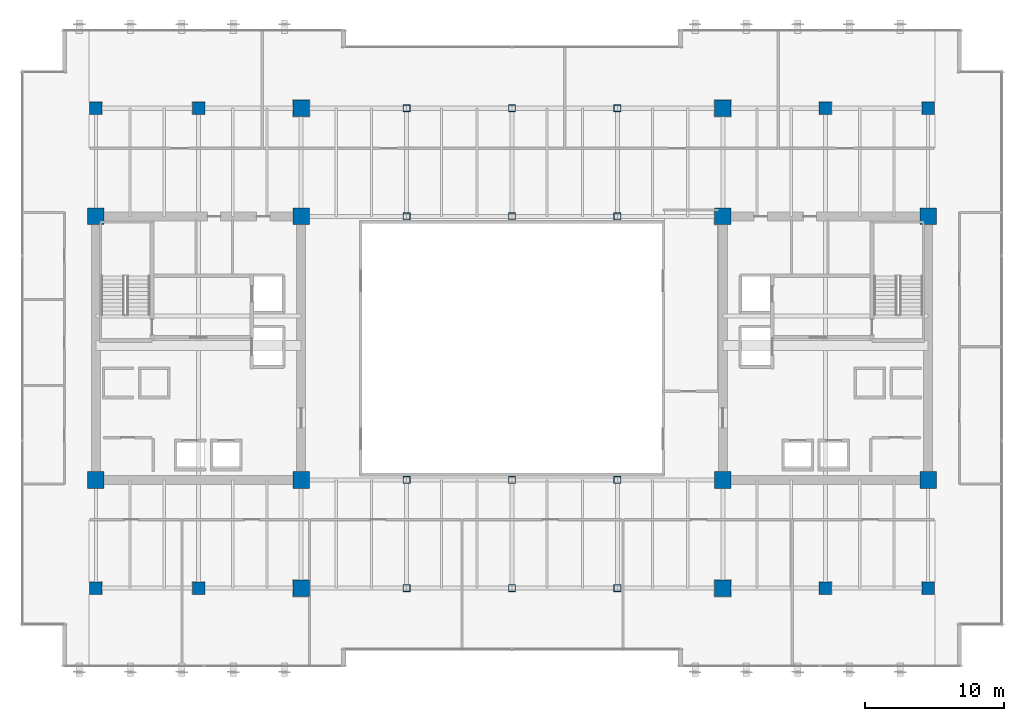
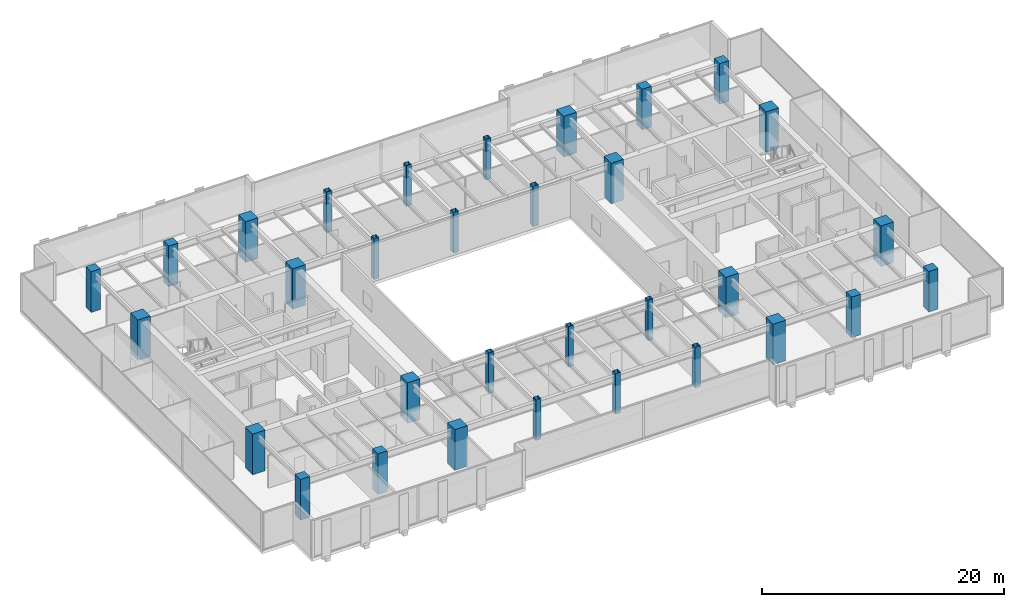
# One storey, part 1 of 34: 32 columns.
"""IFC4 building model written with IfcOpenShell, lengths in metres."""

from ifc_helpers import new_model, si_unit, direction, frame, origin, origin_2d, place, context, subcontext, project, spatial, rectangle, hollow_rectangle, extrude, source, transform, mapped, material, material_profile, profile_set, type_object, type_shapes, element, save


model = new_model("IFC4")

# Units and contexts
model_context = context("Model", 3, precision=1e-05, world=origin(), true_north=direction((0.0, 1.0)))
body_context = subcontext(model_context, "Body", "Model", "MODEL_VIEW")
ifc_project = project(units=[si_unit("LENGTHUNIT", "METRE"), si_unit("AREAUNIT", "SQUARE_METRE"), si_unit("VOLUMEUNIT", "CUBIC_METRE"), si_unit("PLANEANGLEUNIT", "RADIAN"), si_unit("MASSUNIT", "GRAM", prefix="KILO")], contexts=[model_context])

# Site, building, storey
site_placement = place(None, origin())
site = spatial("IfcSite", under=ifc_project, at=site_placement, CompositionType="ELEMENT")
building_placement = place(site_placement, origin())
building = spatial("IfcBuilding", under=site, at=building_placement, Name="Haelvirn Gate Laboratories", CompositionType="ELEMENT")
storey_placement = place(building_placement, frame((0.0, 0.0, 158.39990234375)))
storey = spatial("IfcBuildingStorey", under=building, at=storey_placement, Name="L38", CompositionType="ELEMENT", Elevation=158.39990234375)

# Columns
ifc_material_1 = material(Name="Concrete C50/60", Category="concrete")
ifc_material_profile_1 = material_profile(ifc_material_1, rectangle(XDim=0.89990234375, YDim=0.89990234375, at=origin_2d()), Name="RC-900x900")
ifc_profile_set_1 = profile_set([ifc_material_profile_1], Name="Concrete C50/60")
column_type_1 = type_object("IfcColumnType", Name="COL-RC-900", PredefinedType="COLUMN", material=ifc_profile_set_1)
shared_shape_1 = source(origin(), body_context, "Body", "SweptSolid", [
    extrude(rectangle(XDim=0.89990234375, YDim=0.89990234375, at=origin_2d()), origin(), (0.0, 0.0, 1.0), 4.10009765625),
])
type_shapes(column_type_1, [shared_shape_1])
for number, where, z_axis, x_axis, name in (
    (1, (14.800048828125, 7.0, 0.0), (0.0, 0.0, 1.0), (1.0, 0.0, 0.0), "L38 Column 3B"),
    (2, (14.800048828125, 41.60009765625, 0.0), (0.0, 0.0, 1.0), (1.0, 0.0, 0.0), "L38 Column 3G"),
    (3, (60.0, 7.0, 0.0), (0.0, 0.0, 1.0), (1.0, 0.0, 0.0), "L38 Column 9B"),
    (4, (60.0, 41.60009765625, 0.0), (0.0, 0.0, 1.0), (1.0, 0.0, 0.0), "L38 Column 9G"),
    (5, (7.39990234375, 7.0, 0.0), (0.0, 0.0, 1.0), (1.0, 0.0, 0.0), "L38 Column 2B"),
    (6, (7.39990234375, 41.60009765625, 0.0), (0.0, 0.0, 1.0), (1.0, 0.0, 0.0), "L38 Column 2G"),
    (7, (67.39990234375, 7.0, 0.0), (0.0, 0.0, 1.0), (1.0, 0.0, 0.0), "L38 Column 10B"),
    (8, (67.39990234375, 41.60009765625, 0.0), (0.0, 0.0, 1.0), (1.0, 0.0, 0.0), "L38 Column 10G"),
):
    element("IfcColumn", number, at=place(storey_placement, frame(where, z_axis=z_axis, x_axis=x_axis)), inside=storey, type_object=column_type_1, Name=name, PredefinedType="COLUMN", context=body_context, shape_type="MappedRepresentation", body=[
        mapped(shared_shape_1, transform((0.0, 0.0, 0.0), scale=1.0)),
    ])
ifc_material_2 = material(Name="Concrete C60/75", Category="concrete")
ifc_material_profile_2 = material_profile(ifc_material_2, rectangle(XDim=1.199951171875, YDim=1.199951171875, at=origin_2d()), Name="SRC-1200x1200")
ifc_profile_set_2 = profile_set([ifc_material_profile_2], Name="Concrete C60/75")
column_type_2 = type_object("IfcColumnType", Name="COL-SRC-1200", PredefinedType="COLUMN", material=ifc_profile_set_2)
shared_shape_2 = source(origin(), body_context, "Body", "SweptSolid", [
    extrude(rectangle(XDim=1.199951171875, YDim=1.199951171875, at=origin_2d()), origin(), (0.0, 0.0, 1.0), 4.10009765625),
])
type_shapes(column_type_2, [shared_shape_2])
for number, where, z_axis, x_axis, name in (
    (9, (22.199951171875, 7.0, 0.0), (0.0, 0.0, 1.0), (1.0, 0.0, 0.0), "L38 Column 4B"),
    (10, (7.39990234375, 14.800048828125, 0.0), (0.0, 0.0, 1.0), (1.0, 0.0, 0.0), "L38 Column 2C"),
    (11, (22.199951171875, 14.800048828125, 0.0), (0.0, 0.0, 1.0), (1.0, 0.0, 0.0), "L38 Column 4C"),
    (12, (7.39990234375, 33.800048828125, 0.0), (0.0, 0.0, 1.0), (1.0, 0.0, 0.0), "L38 Column 2F"),
    (13, (22.199951171875, 33.800048828125, 0.0), (0.0, 0.0, 1.0), (1.0, 0.0, 0.0), "L38 Column 4F"),
    (14, (22.199951171875, 41.60009765625, 0.0), (0.0, 0.0, 1.0), (1.0, 0.0, 0.0), "L38 Column 4G"),
    (15, (52.60009765625, 7.0, 0.0), (0.0, 0.0, 1.0), (1.0, 0.0, 0.0), "L38 Column 8B"),
    (16, (52.60009765625, 14.800048828125, 0.0), (0.0, 0.0, 1.0), (1.0, 0.0, 0.0), "L38 Column 8C"),
    (17, (67.39990234375, 14.800048828125, 0.0), (0.0, 0.0, 1.0), (1.0, 0.0, 0.0), "L38 Column 10C"),
    (18, (52.60009765625, 33.800048828125, 0.0), (0.0, 0.0, 1.0), (1.0, 0.0, 0.0), "L38 Column 8F"),
    (19, (67.39990234375, 33.800048828125, 0.0), (0.0, 0.0, 1.0), (1.0, 0.0, 0.0), "L38 Column 10F"),
    (20, (52.60009765625, 41.60009765625, 0.0), (0.0, 0.0, 1.0), (1.0, 0.0, 0.0), "L38 Column 8G"),
):
    element("IfcColumn", number, at=place(storey_placement, frame(where, z_axis=z_axis, x_axis=x_axis)), inside=storey, type_object=column_type_2, Name=name, PredefinedType="COLUMN", context=body_context, shape_type="MappedRepresentation", body=[
        mapped(shared_shape_2, transform((0.0, 0.0, 0.0), scale=1.0)),
    ])
ifc_material_3 = material(Name="Steel SM355", Category="steel")
ifc_material_profile_3 = material_profile(ifc_material_3, hollow_rectangle(XDim=0.5, YDim=0.5, WallThickness=0.02197265625, at=origin_2d()), Name="BOX-500x500x22")
ifc_profile_set_3 = profile_set([ifc_material_profile_3], Name="Steel SM355")
column_type_3 = type_object("IfcColumnType", Name="COL-BOX-500", PredefinedType="COLUMN", material=ifc_profile_set_3)
shared_shape_3 = source(origin(), body_context, "Body", "SweptSolid", [
    extrude(hollow_rectangle(XDim=0.5, YDim=0.5, WallThickness=0.02197265625, at=origin_2d()), origin(), (0.0, 0.0, 1.0), 4.10009765625),
])
type_shapes(column_type_3, [shared_shape_3])
for number, where, z_axis, x_axis, name in (
    (21, (29.800048828125, 7.0, 0.0), (0.0, 0.0, 1.0), (1.0, 0.0, 0.0), "L38 Column 5B"),
    (22, (29.800048828125, 14.800048828125, 0.0), (0.0, 0.0, 1.0), (1.0, 0.0, 0.0), "L38 Column 5C"),
    (23, (29.800048828125, 33.800048828125, 0.0), (0.0, 0.0, 1.0), (1.0, 0.0, 0.0), "L38 Column 5F"),
    (24, (29.800048828125, 41.60009765625, 0.0), (0.0, 0.0, 1.0), (1.0, 0.0, 0.0), "L38 Column 5G"),
    (25, (37.39990234375, 7.0, 0.0), (0.0, 0.0, 1.0), (1.0, 0.0, 0.0), "L38 Column 6B"),
    (26, (37.39990234375, 14.800048828125, 0.0), (0.0, 0.0, 1.0), (1.0, 0.0, 0.0), "L38 Column 6C"),
    (27, (37.39990234375, 33.800048828125, 0.0), (0.0, 0.0, 1.0), (1.0, 0.0, 0.0), "L38 Column 6F"),
    (28, (37.39990234375, 41.60009765625, 0.0), (0.0, 0.0, 1.0), (1.0, 0.0, 0.0), "L38 Column 6G"),
    (29, (45.0, 7.0, 0.0), (0.0, 0.0, 1.0), (1.0, 0.0, 0.0), "L38 Column 7B"),
    (30, (45.0, 14.800048828125, 0.0), (0.0, 0.0, 1.0), (1.0, 0.0, 0.0), "L38 Column 7C"),
    (31, (45.0, 33.800048828125, 0.0), (0.0, 0.0, 1.0), (1.0, 0.0, 0.0), "L38 Column 7F"),
    (32, (45.0, 41.60009765625, 0.0), (0.0, 0.0, 1.0), (1.0, 0.0, 0.0), "L38 Column 7G"),
):
    element("IfcColumn", number, at=place(storey_placement, frame(where, z_axis=z_axis, x_axis=x_axis)), inside=storey, type_object=column_type_3, Name=name, PredefinedType="COLUMN", context=body_context, shape_type="MappedRepresentation", body=[
        mapped(shared_shape_3, transform((0.0, 0.0, 0.0), scale=1.0)),
    ])

save(model, "model.ifc")
